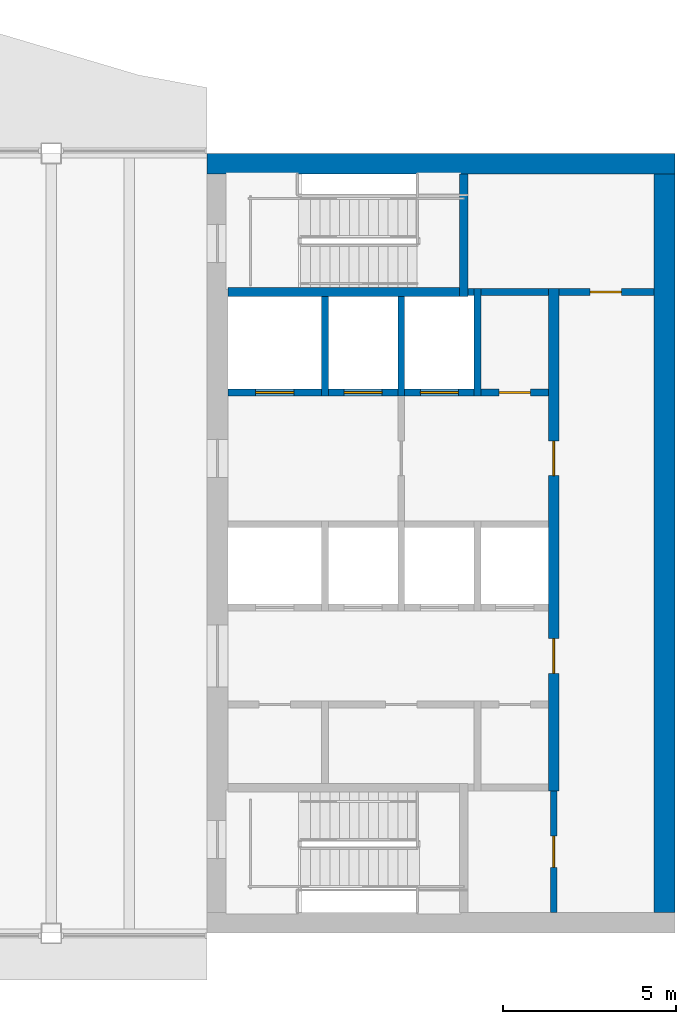
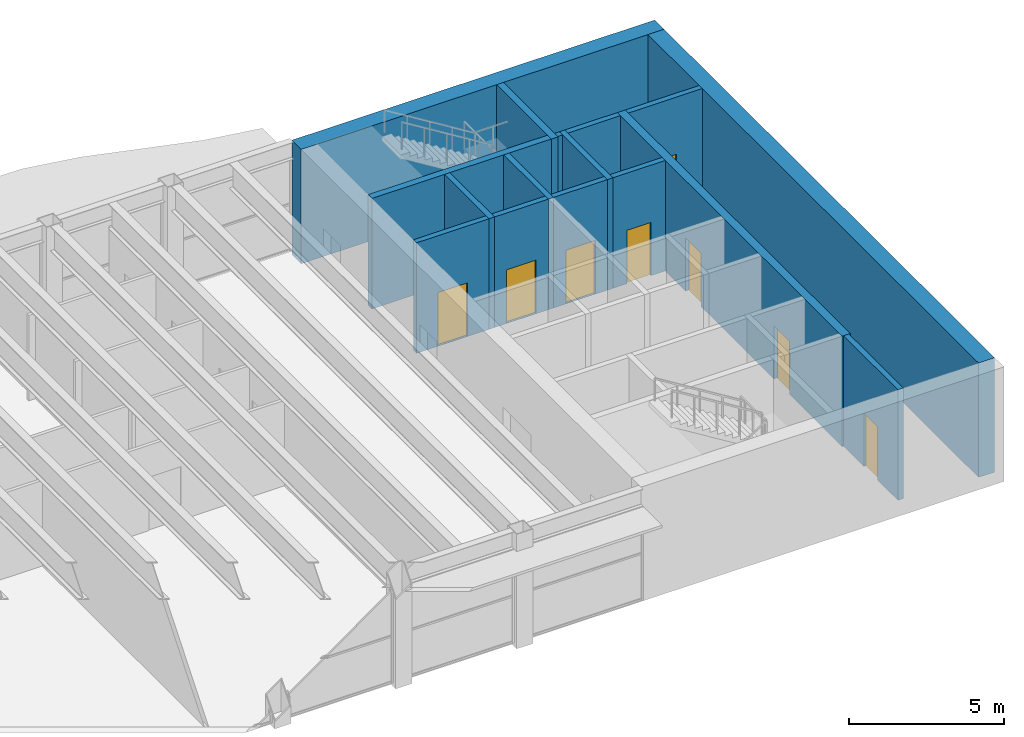
# One storey, part 11 of 15: 16 walls, 8 doors, 8 openings.
"""IFC4 building model written with IfcOpenShell, lengths in metres."""

from ifc_helpers import new_model, si_unit, direction, frame, frame_2d, origin, place, context, subcontext, project, spatial, rectangle, extrude, material, layer, layer_set, type_object, element, fill, save


model = new_model("IFC4")

# Units and contexts
model_context = context("Model", 3, precision=1e-05, world=origin(), true_north=direction((0.0, 1.0)))
body_context = subcontext(model_context, "Body", "Model", "MODEL_VIEW")
ifc_project = project(units=[si_unit("LENGTHUNIT", "METRE"), si_unit("AREAUNIT", "SQUARE_METRE"), si_unit("VOLUMEUNIT", "CUBIC_METRE"), si_unit("PLANEANGLEUNIT", "RADIAN"), si_unit("MASSUNIT", "GRAM", prefix="KILO")], contexts=[model_context])

# Site, building, storey
site_placement = place(None, origin())
site = spatial("IfcSite", under=ifc_project, at=site_placement, CompositionType="ELEMENT")
building_placement = place(site_placement, origin())
building = spatial("IfcBuilding", under=site, at=building_placement, Name="Sennacour Bend Tower", CompositionType="ELEMENT")
storey_placement = place(building_placement, frame((0.0, 0.0, 323.0)))
storey = spatial("IfcBuildingStorey", under=building, at=storey_placement, Name="L74", CompositionType="ELEMENT", Elevation=323.0)

# Walls
ifc_material_1 = material(Name="Concrete C50/60", Category="concrete")
ifc_layer_1 = layer(ifc_material_1, 0.60009765625, Name="Concrete C50/60", Category="concrete")
ifc_layer_set_1 = layer_set([ifc_layer_1], Name="Concrete C50/60")
wall_type_1 = type_object("IfcWallType", Name="Core wall 600 C50/60", PredefinedType="SHEAR", material=ifc_layer_set_1)
wall_1_placement = place(storey_placement, frame((54.0, 22.199951171875, -0.14990234375), z_axis=(0.0, 0.0, 1.0), x_axis=(1.0, 0.0, 0.0)))
element("IfcWall", 1, at=wall_1_placement, inside=storey, type_object=wall_type_1, Name="Core A wall L74 N", PredefinedType="SHEAR", context=body_context, shape_type="SweptSolid", body=[
    extrude(rectangle(XDim=13.5, YDim=0.60009765625, at=frame_2d((6.75, 0.0))), origin(), (0.0, 0.0, 1.0), 4.5),
])
wall_2_placement = place(storey_placement, frame((67.199951171875, 0.60009765625, -0.14990234375), z_axis=(0.0, 0.0, 1.0), x_axis=(0.0, 1.0, 0.0)))
element("IfcWall", 2, at=wall_2_placement, inside=storey, type_object=wall_type_1, Name="Core A wall L74 E", PredefinedType="SHEAR", context=body_context, shape_type="SweptSolid", body=[
    extrude(rectangle(XDim=21.2998046875, YDim=0.60009765625, at=frame_2d((10.64990234375, 0.0))), origin(), (0.0, 0.0, 1.0), 4.5),
])

# Wall, opening, door
ifc_material_2 = material(Name="Fire-rated plasterboard partition on steel studs", Category="steel")
ifc_layer_2 = layer(ifc_material_2, 0.199951171875, Name="Fire-rated plasterboard partition on steel studs", Category="steel")
ifc_layer_set_2 = layer_set([ifc_layer_2], Name="Fire-rated plasterboard partition on steel studs")
wall_type_2 = type_object("IfcWallType", Name="Rated partition 200", PredefinedType="PARTITIONING", material=ifc_layer_set_2)
wall_3_placement = place(storey_placement, frame((64.0, 0.60009765625, 0.0), z_axis=(0.0, 0.0, 1.0), x_axis=(0.0, 1.0, 0.0)))
wall_3 = element("IfcWall", 3, at=wall_3_placement, inside=storey, type_object=wall_type_2, Name="P-L74-W025", PredefinedType="PARTITIONING", context=body_context, shape_type="SweptSolid", body=[
    extrude(rectangle(XDim=3.5, YDim=0.199951171875, at=frame_2d((1.75, 0.0))), origin(), (0.0, 0.0, 1.0), 4.35009765625),
])
opening_1_placement = place(wall_3_placement, frame((1.2998046875, 0.0, 0.0)))
opening_1 = element("IfcOpeningElement", 4, at=opening_1_placement, cuts=wall_3, Name="Opening SV", PredefinedType="OPENING", context=body_context, shape_type="SweptSolid", body=[
    extrude(rectangle(XDim=0.89990234375, YDim=2.10009765625, at=frame_2d((0.449951171875, 1.050048828125))), frame((0.0, 0.10986328125, 0.0), z_axis=(0.0, -1.0, 0.0), x_axis=(1.0, 0.0, 0.0)), (0.0, 0.0, 1.0), 0.219970703125),
])
ifc_material_3 = material(Name="Painted steel", Category="steel")
door_type_1 = type_object("IfcDoorType", Name="DR-SERVICE-900", OperationType="NOTDEFINED", PredefinedType="DOOR", material=ifc_material_3)
door_1_placement = place(opening_1_placement, origin())
door_1 = element("IfcDoor", 5, at=door_1_placement, inside=storey, type_object=door_type_1, Name="Door", OperationType="SINGLE_SWING_LEFT", OverallHeight=2.10009765625, OverallWidth=0.89990234375, PredefinedType="DOOR", context=body_context, shape_type="SweptSolid", body=[
    extrude(rectangle(XDim=0.89990234375, YDim=2.10009765625, at=frame_2d((0.449951171875, 1.050048828125))), frame((0.0, 0.02490234375, 0.0), z_axis=(0.0, -1.0, 0.0), x_axis=(1.0, 0.0, 0.0)), (0.0, 0.0, 1.0), 0.050048828125),
])
fill(opening_1, door_1)

wall_4_placement = place(storey_placement, frame((61.89990234375, 15.60009765625, 0.0), z_axis=(0.0, 0.0, 1.0), x_axis=(1.0, 0.0, 0.0)))
wall_4 = element("IfcWall", 6, at=wall_4_placement, inside=storey, type_object=wall_type_2, Name="P-L74-W040", PredefinedType="PARTITIONING", context=body_context, shape_type="SweptSolid", body=[
    extrude(rectangle(XDim=1.9501953125, YDim=0.199951171875, at=frame_2d((0.97509765625, 0.0))), origin(), (0.0, 0.0, 1.0), 4.35009765625),
])
opening_2_placement = place(wall_4_placement, frame((0.525146484375, 0.0, 0.0)))
opening_2 = element("IfcOpeningElement", 7, at=opening_2_placement, cuts=wall_4, Name="Opening SV", PredefinedType="OPENING", context=body_context, shape_type="SweptSolid", body=[
    extrude(rectangle(XDim=0.89990234375, YDim=2.10009765625, at=frame_2d((0.449951171875, 1.050048828125))), frame((0.0, 0.10986328125, 0.0), z_axis=(0.0, -1.0, 0.0), x_axis=(1.0, 0.0, 0.0)), (0.0, 0.0, 1.0), 0.219970703125),
])
door_2_placement = place(opening_2_placement, origin())
door_2 = element("IfcDoor", 8, at=door_2_placement, inside=storey, type_object=door_type_1, Name="Door", OperationType="SINGLE_SWING_RIGHT", OverallHeight=2.10009765625, OverallWidth=0.89990234375, PredefinedType="DOOR", context=body_context, shape_type="SweptSolid", body=[
    extrude(rectangle(XDim=0.89990234375, YDim=2.10009765625, at=frame_2d((0.449951171875, 1.050048828125))), frame((0.0, 0.02490234375, 0.0), z_axis=(0.0, -1.0, 0.0), x_axis=(1.0, 0.0, 0.0)), (0.0, 0.0, 1.0), 0.050048828125),
])
fill(opening_2, door_2)

# Wall
wall_5_placement = place(storey_placement, frame((61.89990234375, 18.5, 0.0), z_axis=(0.0, 0.0, 1.0), x_axis=(1.0, 0.0, 0.0)))
element("IfcWall", 9, at=wall_5_placement, inside=storey, type_object=wall_type_2, Name="P-L74-W044a", PredefinedType="PARTITIONING", context=body_context, shape_type="SweptSolid", body=[
    extrude(rectangle(XDim=1.9501953125, YDim=0.199951171875, at=frame_2d((0.97509765625, 0.0))), origin(), (0.0, 0.0, 1.0), 4.35009765625),
])

# Wall, opening, door
wall_6_placement = place(storey_placement, frame((64.14990234375, 18.5, 0.0), z_axis=(0.0, 0.0, 1.0), x_axis=(1.0, 0.0, 0.0)))
wall_6 = element("IfcWall", 10, at=wall_6_placement, inside=storey, type_object=wall_type_2, Name="P-L74-W044b", PredefinedType="PARTITIONING", context=body_context, shape_type="SweptSolid", body=[
    extrude(rectangle(XDim=2.75, YDim=0.199951171875, at=frame_2d((1.375, 0.0))), origin(), (0.0, 0.0, 1.0), 4.35009765625),
])
opening_3_placement = place(wall_6_placement, frame((0.900146484375, 0.0, 0.0)))
opening_3 = element("IfcOpeningElement", 11, at=opening_3_placement, cuts=wall_6, Name="Opening SV", PredefinedType="OPENING", context=body_context, shape_type="SweptSolid", body=[
    extrude(rectangle(XDim=0.89990234375, YDim=2.10009765625, at=frame_2d((0.449951171875, 1.050048828125))), frame((0.0, 0.10986328125, 0.0), z_axis=(0.0, -1.0, 0.0), x_axis=(1.0, 0.0, 0.0)), (0.0, 0.0, 1.0), 0.219970703125),
])
door_3_placement = place(opening_3_placement, origin())
door_3 = element("IfcDoor", 12, at=door_3_placement, inside=storey, type_object=door_type_1, Name="Door", OperationType="SINGLE_SWING_LEFT", OverallHeight=2.10009765625, OverallWidth=0.89990234375, PredefinedType="DOOR", context=body_context, shape_type="SweptSolid", body=[
    extrude(rectangle(XDim=0.89990234375, YDim=2.10009765625, at=frame_2d((0.449951171875, 1.050048828125))), frame((0.0, 0.02490234375, 0.0), z_axis=(0.0, -1.0, 0.0), x_axis=(1.0, 0.0, 0.0)), (0.0, 0.0, 1.0), 0.050048828125),
])
fill(opening_3, door_3)

# Walls
ifc_layer_3 = layer(ifc_material_1, 0.199951171875, Name="Concrete C50/60", Category="concrete")
ifc_layer_set_3 = layer_set([ifc_layer_3], Name="Concrete C50/60")
wall_type_3 = type_object("IfcWallType", Name="Shaft wall 200", PredefinedType="SOLIDWALL", material=ifc_layer_set_3)
for number, where, z_axis, x_axis, name in (
    (13, (57.39990234375, 15.5, 0.0), (0.0, 0.0, 1.0), (0.0, 1.0, 0.0), "P-L74-W016"),
    (14, (59.60009765625, 15.5, 0.0), (0.0, 0.0, 1.0), (0.0, 1.0, 0.0), "P-L74-W019"),
):
    element("IfcWall", number, at=place(storey_placement, frame(where, z_axis=z_axis, x_axis=x_axis)), inside=storey, type_object=wall_type_3, Name=name, PredefinedType="SOLIDWALL", context=body_context, shape_type="SweptSolid", body=[
        extrude(rectangle(XDim=2.875, YDim=0.199951171875, at=frame_2d((1.4375, 0.0))), origin(), (0.0, 0.0, 1.0), 4.35009765625),
    ])
wall_7_placement = place(storey_placement, frame((61.800048828125, 15.5, 0.0), z_axis=(0.0, 0.0, 1.0), x_axis=(0.0, 1.0, 0.0)))
element("IfcWall", 15, at=wall_7_placement, inside=storey, type_object=wall_type_3, Name="P-L74-W024", PredefinedType="SOLIDWALL", context=body_context, shape_type="SweptSolid", body=[
    extrude(rectangle(XDim=3.10009765625, YDim=0.199951171875, at=frame_2d((1.550048828125, 0.0))), origin(), (0.0, 0.0, 1.0), 4.35009765625),
])

# Wall, opening, door
wall_8_placement = place(storey_placement, frame((54.60009765625, 15.60009765625, 0.0), z_axis=(0.0, 0.0, 1.0), x_axis=(1.0, 0.0, 0.0)))
wall_8 = element("IfcWall", 16, at=wall_8_placement, inside=storey, type_object=wall_type_3, Name="P-L74-W039a", PredefinedType="SOLIDWALL", context=body_context, shape_type="SweptSolid", body=[
    extrude(rectangle(XDim=2.699951171875, YDim=0.199951171875, at=frame_2d((1.35009765625, 0.0))), origin(), (0.0, 0.0, 1.0), 4.35009765625),
])
opening_4_placement = place(wall_8_placement, frame((0.7998046875, 0.0, 0.011962890625)))
opening_4 = element("IfcOpeningElement", 17, at=opening_4_placement, cuts=wall_8, Name="Opening FLD", PredefinedType="OPENING", context=body_context, shape_type="SweptSolid", body=[
    extrude(rectangle(XDim=1.10009765625, YDim=2.10009765625, at=frame_2d((0.550048828125, 1.050048828125))), frame((0.0, 0.10986328125, 0.0), z_axis=(0.0, -1.0, 0.0), x_axis=(1.0, 0.0, 0.0)), (0.0, 0.0, 1.0), 0.219970703125),
])
ifc_material_4 = material(Name="Stainless steel", Category="steel")
door_type_2 = type_object("IfcDoorType", Name="DR-FF-LANDING-1100", OperationType="NOTDEFINED", PredefinedType="DOOR", material=ifc_material_4)
door_4_placement = place(opening_4_placement, origin())
door_4 = element("IfcDoor", 18, at=door_4_placement, inside=storey, type_object=door_type_2, Name="Fire service lift landing door FA1", OperationType="SLIDING_TO_LEFT", OverallHeight=2.10009765625, OverallWidth=1.10009765625, PredefinedType="DOOR", context=body_context, shape_type="SweptSolid", body=[
    extrude(rectangle(XDim=1.10009765625, YDim=2.10009765625, at=frame_2d((0.550048828125, 1.050048828125))), frame((0.0, 0.02490234375, 0.0), z_axis=(0.0, -1.0, 0.0), x_axis=(1.0, 0.0, 0.0)), (0.0, 0.0, 1.0), 0.050048828125),
])
fill(opening_4, door_4)

wall_9_placement = place(storey_placement, frame((57.5, 15.60009765625, 0.0), z_axis=(0.0, 0.0, 1.0), x_axis=(1.0, 0.0, 0.0)))
wall_9 = element("IfcWall", 19, at=wall_9_placement, inside=storey, type_object=wall_type_3, Name="P-L74-W039b", PredefinedType="SOLIDWALL", context=body_context, shape_type="SweptSolid", body=[
    extrude(rectangle(XDim=2.0, YDim=0.199951171875, at=frame_2d((1.0, 0.0))), origin(), (0.0, 0.0, 1.0), 4.35009765625),
])
opening_5_placement = place(wall_9_placement, frame((0.449951171875, 0.0, 0.011962890625)))
opening_5 = element("IfcOpeningElement", 20, at=opening_5_placement, cuts=wall_9, Name="Opening FLD", PredefinedType="OPENING", context=body_context, shape_type="SweptSolid", body=[
    extrude(rectangle(XDim=1.10009765625, YDim=2.10009765625, at=frame_2d((0.550048828125, 1.050048828125))), frame((0.0, 0.10986328125, 0.0), z_axis=(0.0, -1.0, 0.0), x_axis=(1.0, 0.0, 0.0)), (0.0, 0.0, 1.0), 0.219970703125),
])
door_5_placement = place(opening_5_placement, origin())
door_5 = element("IfcDoor", 21, at=door_5_placement, inside=storey, type_object=door_type_2, Name="Fire service lift landing door FA2", OperationType="SLIDING_TO_RIGHT", OverallHeight=2.10009765625, OverallWidth=1.10009765625, PredefinedType="DOOR", context=body_context, shape_type="SweptSolid", body=[
    extrude(rectangle(XDim=1.10009765625, YDim=2.10009765625, at=frame_2d((0.550048828125, 1.050048828125))), frame((0.0, 0.02490234375, 0.0), z_axis=(0.0, -1.0, 0.0), x_axis=(1.0, 0.0, 0.0)), (0.0, 0.0, 1.0), 0.050048828125),
])
fill(opening_5, door_5)

wall_10_placement = place(storey_placement, frame((59.699951171875, 15.60009765625, 0.0), z_axis=(0.0, 0.0, 1.0), x_axis=(1.0, 0.0, 0.0)))
wall_10 = element("IfcWall", 22, at=wall_10_placement, inside=storey, type_object=wall_type_3, Name="P-L74-W039c", PredefinedType="SOLIDWALL", context=body_context, shape_type="SweptSolid", body=[
    extrude(rectangle(XDim=2.0, YDim=0.199951171875, at=frame_2d((1.0, 0.0))), origin(), (0.0, 0.0, 1.0), 4.35009765625),
])
opening_6_placement = place(wall_10_placement, frame((0.449951171875, 0.0, 0.011962890625)))
opening_6 = element("IfcOpeningElement", 23, at=opening_6_placement, cuts=wall_10, Name="Opening LD", PredefinedType="OPENING", context=body_context, shape_type="SweptSolid", body=[
    extrude(rectangle(XDim=1.10009765625, YDim=2.10009765625, at=frame_2d((0.550048828125, 1.050048828125))), frame((0.0, 0.10986328125, 0.0), z_axis=(0.0, -1.0, 0.0), x_axis=(1.0, 0.0, 0.0)), (0.0, 0.0, 1.0), 0.219970703125),
])
door_type_3 = type_object("IfcDoorType", Name="DR-LANDING-1100", OperationType="NOTDEFINED", PredefinedType="DOOR", material=ifc_material_4)
door_6_placement = place(opening_6_placement, origin())
door_6 = element("IfcDoor", 24, at=door_6_placement, inside=storey, type_object=door_type_3, Name="Lift landing door HA5", OperationType="SLIDING_TO_LEFT", OverallHeight=2.10009765625, OverallWidth=1.10009765625, PredefinedType="DOOR", context=body_context, shape_type="SweptSolid", body=[
    extrude(rectangle(XDim=1.10009765625, YDim=2.10009765625, at=frame_2d((0.550048828125, 1.050048828125))), frame((0.0, 0.02490234375, 0.0), z_axis=(0.0, -1.0, 0.0), x_axis=(1.0, 0.0, 0.0)), (0.0, 0.0, 1.0), 0.050048828125),
])
fill(opening_6, door_6)

# Wall
wall_11_placement = place(storey_placement, frame((61.52490234375, 18.5, 0.0), z_axis=(0.0, 0.0, 1.0), x_axis=(1.0, 0.0, 0.0)))
element("IfcWall", 25, at=wall_11_placement, inside=storey, type_object=wall_type_3, Name="P-L74-W043", PredefinedType="SOLIDWALL", context=body_context, shape_type="SweptSolid", body=[
    extrude(rectangle(XDim=0.175048828125, YDim=0.199951171875, at=frame_2d((0.08740234375, 0.0))), origin(), (0.0, 0.0, 1.0), 4.35009765625),
])

# Wall, openings, doors
ifc_material_5 = material(Name="Concrete C60/75", Category="concrete")
ifc_layer_4 = layer(ifc_material_5, 0.300048828125, Name="Concrete C60/75", Category="concrete")
ifc_layer_set_4 = layer_set([ifc_layer_4], Name="Concrete C60/75")
wall_type_4 = type_object("IfcWallType", Name="Spine wall 300", PredefinedType="SHEAR", material=ifc_layer_set_4)
wall_12_placement = place(storey_placement, frame((64.0, 4.10009765625, 0.0), z_axis=(0.0, 0.0, 1.0), x_axis=(0.0, 1.0, 0.0)))
wall_12 = element("IfcWall", 26, at=wall_12_placement, inside=storey, type_object=wall_type_4, Name="P-L74-W026", PredefinedType="SHEAR", context=body_context, shape_type="SweptSolid", body=[
    extrude(rectangle(XDim=14.5, YDim=0.300048828125, at=frame_2d((7.25, 0.0))), origin(), (0.0, 0.0, 1.0), 4.35009765625),
])
opening_7_placement = place(wall_12_placement, frame((3.39990234375, 0.0, 0.0)))
opening_7 = element("IfcOpeningElement", 27, at=opening_7_placement, cuts=wall_12, Name="Opening CD2", PredefinedType="OPENING", context=body_context, shape_type="SweptSolid", body=[
    extrude(rectangle(XDim=1.0, YDim=2.10009765625, at=frame_2d((0.5, 1.050048828125))), frame((0.0, 0.16015625, 0.0), z_axis=(0.0, -1.0, 0.0), x_axis=(1.0, 0.0, 0.0)), (0.0, 0.0, 1.0), 0.320068359375),
])
opening_8_placement = place(wall_12_placement, frame((9.099853515625, 0.0, 0.0)))
opening_8 = element("IfcOpeningElement", 28, at=opening_8_placement, cuts=wall_12, Name="Opening CD2", PredefinedType="OPENING", context=body_context, shape_type="SweptSolid", body=[
    extrude(rectangle(XDim=1.0, YDim=2.10009765625, at=frame_2d((0.5, 1.050048828125))), frame((0.0, 0.16015625, 0.0), z_axis=(0.0, -1.0, 0.0), x_axis=(1.0, 0.0, 0.0)), (0.0, 0.0, 1.0), 0.320068359375),
])
door_type_4 = type_object("IfcDoorType", Name="DR-LOBBY-1000", OperationType="NOTDEFINED", PredefinedType="DOOR", material=ifc_material_3)
door_7_placement = place(opening_7_placement, origin())
door_7 = element("IfcDoor", 29, at=door_7_placement, inside=storey, type_object=door_type_4, Name="Door", OperationType="SINGLE_SWING_LEFT", OverallHeight=2.10009765625, OverallWidth=1.0, PredefinedType="DOOR", context=body_context, shape_type="SweptSolid", body=[
    extrude(rectangle(XDim=1.0, YDim=2.10009765625, at=frame_2d((0.5, 1.050048828125))), frame((0.0, 0.02490234375, 0.0), z_axis=(0.0, -1.0, 0.0), x_axis=(1.0, 0.0, 0.0)), (0.0, 0.0, 1.0), 0.050048828125),
])
fill(opening_7, door_7)
door_8_placement = place(opening_8_placement, origin())
door_8 = element("IfcDoor", 30, at=door_8_placement, inside=storey, type_object=door_type_4, Name="Door", OperationType="SINGLE_SWING_RIGHT", OverallHeight=2.10009765625, OverallWidth=1.0, PredefinedType="DOOR", context=body_context, shape_type="SweptSolid", body=[
    extrude(rectangle(XDim=1.0, YDim=2.10009765625, at=frame_2d((0.5, 1.050048828125))), frame((0.0, 0.02490234375, 0.0), z_axis=(0.0, -1.0, 0.0), x_axis=(1.0, 0.0, 0.0)), (0.0, 0.0, 1.0), 0.050048828125),
])
fill(opening_8, door_8)

# Walls
ifc_layer_5 = layer(ifc_material_5, 0.25, Name="Concrete C60/75", Category="concrete")
ifc_layer_set_5 = layer_set([ifc_layer_5], Name="Concrete C60/75")
wall_type_5 = type_object("IfcWallType", Name="Stair wall 250", PredefinedType="SHEAR", material=ifc_layer_set_5)
wall_13_placement = place(storey_placement, frame((61.39990234375, 18.375, 0.0), z_axis=(0.0, 0.0, 1.0), x_axis=(0.0, 1.0, 0.0)))
element("IfcWall", 31, at=wall_13_placement, inside=storey, type_object=wall_type_5, Name="P-L74-W021", PredefinedType="SHEAR", context=body_context, shape_type="SweptSolid", body=[
    extrude(rectangle(XDim=3.52490234375, YDim=0.25, at=frame_2d((1.762451171875, 0.0))), origin(), (0.0, 0.0, 1.0), 4.35009765625),
])
wall_14_placement = place(storey_placement, frame((54.60009765625, 18.5, 0.0), z_axis=(0.0, 0.0, 1.0), x_axis=(1.0, 0.0, 0.0)))
element("IfcWall", 32, at=wall_14_placement, inside=storey, type_object=wall_type_5, Name="P-L74-W042", PredefinedType="SHEAR", context=body_context, shape_type="SweptSolid", body=[
    extrude(rectangle(XDim=6.6748046875, YDim=0.25, at=frame_2d((3.33740234375, 0.0))), origin(), (0.0, 0.0, 1.0), 4.35009765625),
])

save(model, "model.ifc")
